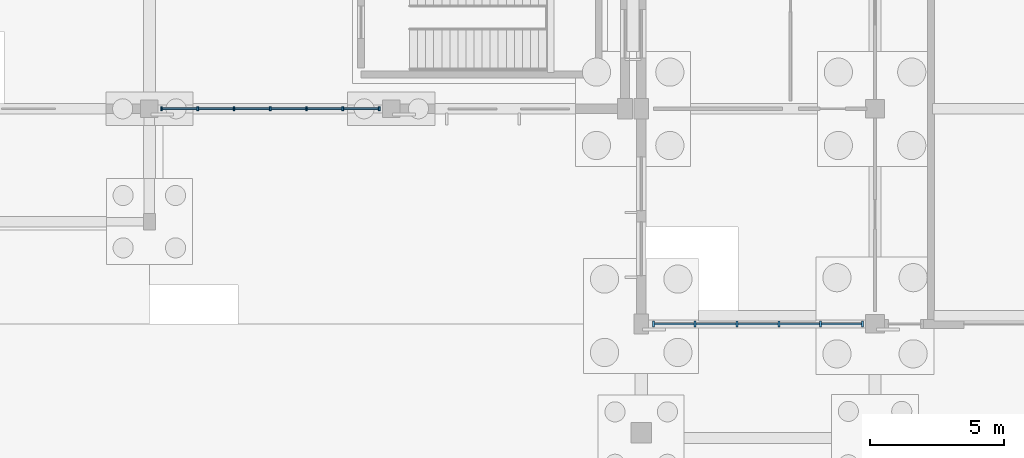
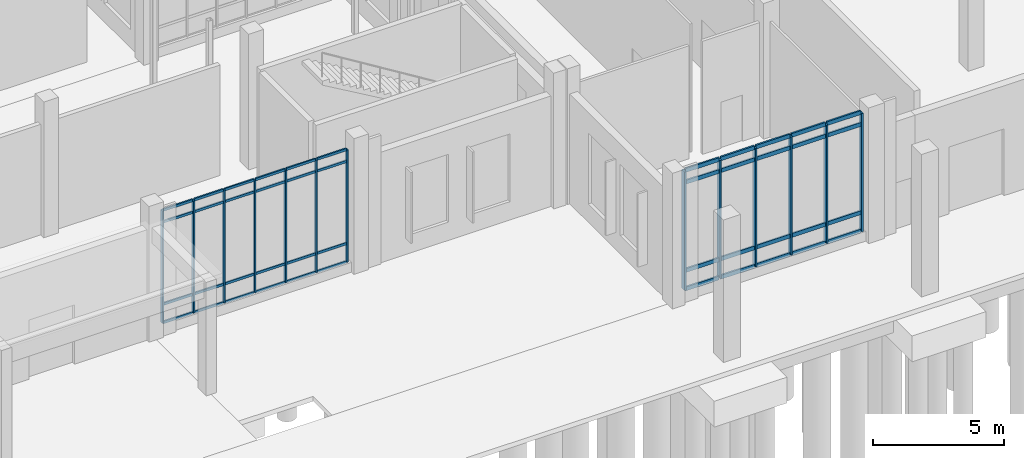
# One storey, part 41 of 99: 57 members, 2 elements without a shape of their own.
"""IFC4 building model written with IfcOpenShell, lengths in metres."""

from ifc_helpers import new_model, si_unit, direction, frame, origin, origin_2d, place, context, subcontext, project, spatial, rectangle, extrude, material, layer, layer_set, material_profile, profile_set, type_object, element, aggregate, save


model = new_model("IFC4")

# Units and contexts
model_context = context("Model", 3, precision=1e-05, world=origin(), true_north=direction((0.0, 1.0)))
body_context = subcontext(model_context, "Body", "Model", "MODEL_VIEW")
ifc_project = project(units=[si_unit("LENGTHUNIT", "METRE"), si_unit("AREAUNIT", "SQUARE_METRE"), si_unit("VOLUMEUNIT", "CUBIC_METRE"), si_unit("PLANEANGLEUNIT", "RADIAN"), si_unit("MASSUNIT", "GRAM", prefix="KILO")], contexts=[model_context])

# Site, building, storey
site_placement = place(None, origin())
site = spatial("IfcSite", under=ifc_project, at=site_placement, CompositionType="ELEMENT")
building_placement = place(site_placement, origin())
building = spatial("IfcBuilding", under=site, at=building_placement, Name="Zacnel Wholesale Market", CompositionType="ELEMENT")
storey_placement = place(building_placement, origin())
storey = spatial("IfcBuildingStorey", under=building, at=storey_placement, Name="L01", CompositionType="ELEMENT", Elevation=0.0)

# Curtain wall, members
ifc_material_1 = material(Name="Anodised aluminium", Category="aluminium")
ifc_layer_1 = layer(ifc_material_1, 0.179931640625)
ifc_layer_set_1 = layer_set([ifc_layer_1], Name="Anodised aluminium")
curtain_wall_type_1 = type_object("IfcCurtainWallType", Name="CW-BLVD-5400", PredefinedType="NOTDEFINED", material=ifc_layer_set_1)
curtain_wall_1_placement = place(storey_placement, origin())
curtain_wall_1 = element("IfcCurtainWall", 1, at=curtain_wall_1_placement, inside=storey, type_object=curtain_wall_type_1, Name="Curtain wall ENV-R2-CW-L01-005", PredefinedType="NOTDEFINED")
ifc_material_2 = material(Name="Anodised aluminium", Category="aluminium")
ifc_material_profile_1 = material_profile(ifc_material_2, rectangle(XDim=0.074951171875, YDim=0.219970703125, at=origin_2d()), Name="AW-MULLION 75x220")
ifc_profile_set_1 = profile_set([ifc_material_profile_1], Name="Anodised aluminium")
member_type_1 = type_object("IfcMemberType", Name="CWM-MUL-01", PredefinedType="MULLION", material=ifc_profile_set_1)
member_1_placement = place(storey_placement, frame((144.75, 0.0, 0.449951171875), z_axis=(0.0, 0.0, 1.0), x_axis=(1.0, 0.0, 0.0)))
member_1 = element("IfcMember", 2, at=member_1_placement, type_object=member_type_1, Name="ENV-R2-CW-L01-005 mullion 01", PredefinedType="MULLION", context=body_context, shape_type="SweptSolid", body=[
    extrude(rectangle(XDim=0.074951171875, YDim=0.219970703125, at=origin_2d()), origin(), (0.0, 0.0, 1.0), 5.5),
])
member_2_placement = place(storey_placement, frame((146.305908203125, 0.0, 0.449951171875), z_axis=(0.0, 0.0, 1.0), x_axis=(1.0, 0.0, 0.0)))
member_2 = element("IfcMember", 3, at=member_2_placement, type_object=member_type_1, Name="ENV-R2-CW-L01-005 mullion 02", PredefinedType="MULLION", context=body_context, shape_type="SweptSolid", body=[
    extrude(rectangle(XDim=0.074951171875, YDim=0.219970703125, at=origin_2d()), origin(), (0.0, 0.0, 1.0), 5.5),
])
member_3_placement = place(storey_placement, frame((147.862060546875, 0.0, 0.449951171875), z_axis=(0.0, 0.0, 1.0), x_axis=(1.0, 0.0, 0.0)))
member_3 = element("IfcMember", 4, at=member_3_placement, type_object=member_type_1, Name="ENV-R2-CW-L01-005 mullion 03", PredefinedType="MULLION", context=body_context, shape_type="SweptSolid", body=[
    extrude(rectangle(XDim=0.074951171875, YDim=0.219970703125, at=origin_2d()), origin(), (0.0, 0.0, 1.0), 5.5),
])
member_4_placement = place(storey_placement, frame((149.41796875, 0.0, 0.449951171875), z_axis=(0.0, 0.0, 1.0), x_axis=(1.0, 0.0, 0.0)))
member_4 = element("IfcMember", 5, at=member_4_placement, type_object=member_type_1, Name="ENV-R2-CW-L01-005 mullion 04", PredefinedType="MULLION", context=body_context, shape_type="SweptSolid", body=[
    extrude(rectangle(XDim=0.074951171875, YDim=0.219970703125, at=origin_2d()), origin(), (0.0, 0.0, 1.0), 5.5),
])
member_5_placement = place(storey_placement, frame((150.97412109375, 0.0, 0.449951171875), z_axis=(0.0, 0.0, 1.0), x_axis=(1.0, 0.0, 0.0)))
member_5 = element("IfcMember", 6, at=member_5_placement, type_object=member_type_1, Name="ENV-R2-CW-L01-005 mullion 05", PredefinedType="MULLION", context=body_context, shape_type="SweptSolid", body=[
    extrude(rectangle(XDim=0.074951171875, YDim=0.219970703125, at=origin_2d()), origin(), (0.0, 0.0, 1.0), 5.5),
])
member_6_placement = place(storey_placement, frame((152.530029296875, 0.0, 0.449951171875), z_axis=(0.0, 0.0, 1.0), x_axis=(1.0, 0.0, 0.0)))
member_6 = element("IfcMember", 7, at=member_6_placement, type_object=member_type_1, Name="ENV-R2-CW-L01-005 mullion 06", PredefinedType="MULLION", context=body_context, shape_type="SweptSolid", body=[
    extrude(rectangle(XDim=0.074951171875, YDim=0.219970703125, at=origin_2d()), origin(), (0.0, 0.0, 1.0), 5.5),
])

ifc_material_3 = material(Name="Anodised aluminium", Category="aluminium")
ifc_layer_2 = layer(ifc_material_3, 0.159912109375)
ifc_layer_set_2 = layer_set([ifc_layer_2], Name="Anodised aluminium")
curtain_wall_type_2 = type_object("IfcCurtainWallType", Name="CW-TERR-3900", PredefinedType="NOTDEFINED", material=ifc_layer_set_2)
curtain_wall_2_placement = place(storey_placement, origin())
curtain_wall_2 = element("IfcCurtainWall", 8, at=curtain_wall_2_placement, inside=storey, type_object=curtain_wall_type_2, Name="Curtain wall ENV-R2-CW-L01-003", PredefinedType="NOTDEFINED")
ifc_material_4 = material(Name="Anodised aluminium", Category="aluminium")
ifc_material_profile_2 = material_profile(ifc_material_4, rectangle(XDim=0.06494140625, YDim=0.14990234375, at=origin_2d()), Name="AW-MULLION 65x150")
ifc_profile_set_2 = profile_set([ifc_material_profile_2], Name="Anodised aluminium")
member_type_2 = type_object("IfcMemberType", Name="CWM-MUL-05", PredefinedType="MULLION", material=ifc_profile_set_2)
member_7_placement = place(storey_placement, frame((126.449951171875, 8.0, 0.449951171875), z_axis=(0.0, 0.0, 1.0), x_axis=(1.0, 0.0, 0.0)))
member_7 = element("IfcMember", 9, at=member_7_placement, type_object=member_type_2, Name="ENV-R2-CW-L01-003 mullion 01", PredefinedType="MULLION", context=body_context, shape_type="SweptSolid", body=[
    extrude(rectangle(XDim=0.06494140625, YDim=0.14990234375, at=origin_2d()), origin(), (0.0, 0.0, 1.0), 5.219970703125),
])
member_8_placement = place(storey_placement, frame((127.800048828125, 8.0, 0.449951171875), z_axis=(0.0, 0.0, 1.0), x_axis=(1.0, 0.0, 0.0)))
member_8 = element("IfcMember", 10, at=member_8_placement, type_object=member_type_2, Name="ENV-R2-CW-L01-003 mullion 02", PredefinedType="MULLION", context=body_context, shape_type="SweptSolid", body=[
    extrude(rectangle(XDim=0.06494140625, YDim=0.14990234375, at=origin_2d()), origin(), (0.0, 0.0, 1.0), 5.219970703125),
])
member_9_placement = place(storey_placement, frame((129.14990234375, 8.0, 0.449951171875), z_axis=(0.0, 0.0, 1.0), x_axis=(1.0, 0.0, 0.0)))
member_9 = element("IfcMember", 11, at=member_9_placement, type_object=member_type_2, Name="ENV-R2-CW-L01-003 mullion 03", PredefinedType="MULLION", context=body_context, shape_type="SweptSolid", body=[
    extrude(rectangle(XDim=0.06494140625, YDim=0.14990234375, at=origin_2d()), origin(), (0.0, 0.0, 1.0), 5.219970703125),
])
member_10_placement = place(storey_placement, frame((130.5, 8.0, 0.449951171875), z_axis=(0.0, 0.0, 1.0), x_axis=(1.0, 0.0, 0.0)))
member_10 = element("IfcMember", 12, at=member_10_placement, type_object=member_type_2, Name="ENV-R2-CW-L01-003 mullion 04", PredefinedType="MULLION", context=body_context, shape_type="SweptSolid", body=[
    extrude(rectangle(XDim=0.06494140625, YDim=0.14990234375, at=origin_2d()), origin(), (0.0, 0.0, 1.0), 5.219970703125),
])
member_11_placement = place(storey_placement, frame((131.85009765625, 8.0, 0.449951171875), z_axis=(0.0, 0.0, 1.0), x_axis=(1.0, 0.0, 0.0)))
member_11 = element("IfcMember", 13, at=member_11_placement, type_object=member_type_2, Name="ENV-R2-CW-L01-003 mullion 05", PredefinedType="MULLION", context=body_context, shape_type="SweptSolid", body=[
    extrude(rectangle(XDim=0.06494140625, YDim=0.14990234375, at=origin_2d()), origin(), (0.0, 0.0, 1.0), 5.219970703125),
])
member_12_placement = place(storey_placement, frame((133.199951171875, 8.0, 0.449951171875), z_axis=(0.0, 0.0, 1.0), x_axis=(1.0, 0.0, 0.0)))
member_12 = element("IfcMember", 14, at=member_12_placement, type_object=member_type_2, Name="ENV-R2-CW-L01-003 mullion 06", PredefinedType="MULLION", context=body_context, shape_type="SweptSolid", body=[
    extrude(rectangle(XDim=0.06494140625, YDim=0.14990234375, at=origin_2d()), origin(), (0.0, 0.0, 1.0), 5.219970703125),
])
member_13_placement = place(storey_placement, frame((134.550048828125, 8.0, 0.449951171875), z_axis=(0.0, 0.0, 1.0), x_axis=(1.0, 0.0, 0.0)))
member_13 = element("IfcMember", 15, at=member_13_placement, type_object=member_type_2, Name="ENV-R2-CW-L01-003 mullion 07", PredefinedType="MULLION", context=body_context, shape_type="SweptSolid", body=[
    extrude(rectangle(XDim=0.06494140625, YDim=0.14990234375, at=origin_2d()), origin(), (0.0, 0.0, 1.0), 5.219970703125),
])

# Member
ifc_material_5 = material(Name="Anodised aluminium", Category="aluminium")
ifc_material_profile_3 = material_profile(ifc_material_5, rectangle(XDim=0.074951171875, YDim=0.179931640625, at=origin_2d()), Name="AW-TRANSOM 75x180")
ifc_profile_set_3 = profile_set([ifc_material_profile_3], Name="Anodised aluminium")
member_type_3 = type_object("IfcMemberType", Name="CWM-TRN-01", PredefinedType="USERDEFINED", material=ifc_profile_set_3)
member_14_placement = place(storey_placement, frame((144.784912109375, 0.0, 0.449951171875), z_axis=(1.0, 0.0, 0.0), x_axis=(0.0, 1.0, 0.0)))
member_14 = element("IfcMember", 16, at=member_14_placement, type_object=member_type_3, Name="ENV-R2-CW-L01-005 transom 1-1", ObjectType="TRANSOM", PredefinedType="USERDEFINED", context=body_context, shape_type="SweptSolid", body=[
    extrude(rectangle(XDim=0.074951171875, YDim=0.179931640625, at=origin_2d()), origin(), (0.0, 0.0, 1.0), 1.486083984375),
])

member_15_placement = place(storey_placement, frame((144.784912109375, 0.0, 1.300048828125), z_axis=(1.0, 0.0, 0.0), x_axis=(0.0, 1.0, 0.0)))
member_15 = element("IfcMember", 17, at=member_15_placement, type_object=member_type_3, Name="ENV-R2-CW-L01-005 transom 1-2", ObjectType="TRANSOM", PredefinedType="USERDEFINED", context=body_context, shape_type="SweptSolid", body=[
    extrude(rectangle(XDim=0.074951171875, YDim=0.179931640625, at=origin_2d()), origin(), (0.0, 0.0, 1.0), 1.486083984375),
])

member_16_placement = place(storey_placement, frame((144.784912109375, 0.0, 5.39990234375), z_axis=(1.0, 0.0, 0.0), x_axis=(0.0, 1.0, 0.0)))
member_16 = element("IfcMember", 18, at=member_16_placement, type_object=member_type_3, Name="ENV-R2-CW-L01-005 transom 1-3", ObjectType="TRANSOM", PredefinedType="USERDEFINED", context=body_context, shape_type="SweptSolid", body=[
    extrude(rectangle(XDim=0.074951171875, YDim=0.179931640625, at=origin_2d()), origin(), (0.0, 0.0, 1.0), 1.486083984375),
])

member_17_placement = place(storey_placement, frame((144.784912109375, 0.0, 5.949951171875), z_axis=(1.0, 0.0, 0.0), x_axis=(0.0, 1.0, 0.0)))
member_17 = element("IfcMember", 19, at=member_17_placement, type_object=member_type_3, Name="ENV-R2-CW-L01-005 transom 1-4", ObjectType="TRANSOM", PredefinedType="USERDEFINED", context=body_context, shape_type="SweptSolid", body=[
    extrude(rectangle(XDim=0.074951171875, YDim=0.179931640625, at=origin_2d()), origin(), (0.0, 0.0, 1.0), 1.486083984375),
])

member_18_placement = place(storey_placement, frame((146.341064453125, 0.0, 0.449951171875), z_axis=(1.0, 0.0, 0.0), x_axis=(0.0, 1.0, 0.0)))
member_18 = element("IfcMember", 20, at=member_18_placement, type_object=member_type_3, Name="ENV-R2-CW-L01-005 transom 2-1", ObjectType="TRANSOM", PredefinedType="USERDEFINED", context=body_context, shape_type="SweptSolid", body=[
    extrude(rectangle(XDim=0.074951171875, YDim=0.179931640625, at=origin_2d()), origin(), (0.0, 0.0, 1.0), 1.48583984375),
])

member_19_placement = place(storey_placement, frame((146.341064453125, 0.0, 1.300048828125), z_axis=(1.0, 0.0, 0.0), x_axis=(0.0, 1.0, 0.0)))
member_19 = element("IfcMember", 21, at=member_19_placement, type_object=member_type_3, Name="ENV-R2-CW-L01-005 transom 2-2", ObjectType="TRANSOM", PredefinedType="USERDEFINED", context=body_context, shape_type="SweptSolid", body=[
    extrude(rectangle(XDim=0.074951171875, YDim=0.179931640625, at=origin_2d()), origin(), (0.0, 0.0, 1.0), 1.48583984375),
])

member_20_placement = place(storey_placement, frame((146.341064453125, 0.0, 5.39990234375), z_axis=(1.0, 0.0, 0.0), x_axis=(0.0, 1.0, 0.0)))
member_20 = element("IfcMember", 22, at=member_20_placement, type_object=member_type_3, Name="ENV-R2-CW-L01-005 transom 2-3", ObjectType="TRANSOM", PredefinedType="USERDEFINED", context=body_context, shape_type="SweptSolid", body=[
    extrude(rectangle(XDim=0.074951171875, YDim=0.179931640625, at=origin_2d()), origin(), (0.0, 0.0, 1.0), 1.48583984375),
])

member_21_placement = place(storey_placement, frame((146.341064453125, 0.0, 5.949951171875), z_axis=(1.0, 0.0, 0.0), x_axis=(0.0, 1.0, 0.0)))
member_21 = element("IfcMember", 23, at=member_21_placement, type_object=member_type_3, Name="ENV-R2-CW-L01-005 transom 2-4", ObjectType="TRANSOM", PredefinedType="USERDEFINED", context=body_context, shape_type="SweptSolid", body=[
    extrude(rectangle(XDim=0.074951171875, YDim=0.179931640625, at=origin_2d()), origin(), (0.0, 0.0, 1.0), 1.48583984375),
])

member_22_placement = place(storey_placement, frame((147.89697265625, 0.0, 0.449951171875), z_axis=(1.0, 0.0, 0.0), x_axis=(0.0, 1.0, 0.0)))
member_22 = element("IfcMember", 24, at=member_22_placement, type_object=member_type_3, Name="ENV-R2-CW-L01-005 transom 3-1", ObjectType="TRANSOM", PredefinedType="USERDEFINED", context=body_context, shape_type="SweptSolid", body=[
    extrude(rectangle(XDim=0.074951171875, YDim=0.179931640625, at=origin_2d()), origin(), (0.0, 0.0, 1.0), 1.486083984375),
])

member_23_placement = place(storey_placement, frame((147.89697265625, 0.0, 1.300048828125), z_axis=(1.0, 0.0, 0.0), x_axis=(0.0, 1.0, 0.0)))
member_23 = element("IfcMember", 25, at=member_23_placement, type_object=member_type_3, Name="ENV-R2-CW-L01-005 transom 3-2", ObjectType="TRANSOM", PredefinedType="USERDEFINED", context=body_context, shape_type="SweptSolid", body=[
    extrude(rectangle(XDim=0.074951171875, YDim=0.179931640625, at=origin_2d()), origin(), (0.0, 0.0, 1.0), 1.486083984375),
])

member_24_placement = place(storey_placement, frame((147.89697265625, 0.0, 5.39990234375), z_axis=(1.0, 0.0, 0.0), x_axis=(0.0, 1.0, 0.0)))
member_24 = element("IfcMember", 26, at=member_24_placement, type_object=member_type_3, Name="ENV-R2-CW-L01-005 transom 3-3", ObjectType="TRANSOM", PredefinedType="USERDEFINED", context=body_context, shape_type="SweptSolid", body=[
    extrude(rectangle(XDim=0.074951171875, YDim=0.179931640625, at=origin_2d()), origin(), (0.0, 0.0, 1.0), 1.486083984375),
])

member_25_placement = place(storey_placement, frame((147.89697265625, 0.0, 5.949951171875), z_axis=(1.0, 0.0, 0.0), x_axis=(0.0, 1.0, 0.0)))
member_25 = element("IfcMember", 27, at=member_25_placement, type_object=member_type_3, Name="ENV-R2-CW-L01-005 transom 3-4", ObjectType="TRANSOM", PredefinedType="USERDEFINED", context=body_context, shape_type="SweptSolid", body=[
    extrude(rectangle(XDim=0.074951171875, YDim=0.179931640625, at=origin_2d()), origin(), (0.0, 0.0, 1.0), 1.486083984375),
])

member_26_placement = place(storey_placement, frame((149.452880859375, 0.0, 0.449951171875), z_axis=(1.0, 0.0, 0.0), x_axis=(0.0, 1.0, 0.0)))
member_26 = element("IfcMember", 28, at=member_26_placement, type_object=member_type_3, Name="ENV-R2-CW-L01-005 transom 4-1", ObjectType="TRANSOM", PredefinedType="USERDEFINED", context=body_context, shape_type="SweptSolid", body=[
    extrude(rectangle(XDim=0.074951171875, YDim=0.179931640625, at=origin_2d()), origin(), (0.0, 0.0, 1.0), 1.486083984375),
])

member_27_placement = place(storey_placement, frame((149.452880859375, 0.0, 1.300048828125), z_axis=(1.0, 0.0, 0.0), x_axis=(0.0, 1.0, 0.0)))
member_27 = element("IfcMember", 29, at=member_27_placement, type_object=member_type_3, Name="ENV-R2-CW-L01-005 transom 4-2", ObjectType="TRANSOM", PredefinedType="USERDEFINED", context=body_context, shape_type="SweptSolid", body=[
    extrude(rectangle(XDim=0.074951171875, YDim=0.179931640625, at=origin_2d()), origin(), (0.0, 0.0, 1.0), 1.486083984375),
])

member_28_placement = place(storey_placement, frame((149.452880859375, 0.0, 5.39990234375), z_axis=(1.0, 0.0, 0.0), x_axis=(0.0, 1.0, 0.0)))
member_28 = element("IfcMember", 30, at=member_28_placement, type_object=member_type_3, Name="ENV-R2-CW-L01-005 transom 4-3", ObjectType="TRANSOM", PredefinedType="USERDEFINED", context=body_context, shape_type="SweptSolid", body=[
    extrude(rectangle(XDim=0.074951171875, YDim=0.179931640625, at=origin_2d()), origin(), (0.0, 0.0, 1.0), 1.486083984375),
])

member_29_placement = place(storey_placement, frame((149.452880859375, 0.0, 5.949951171875), z_axis=(1.0, 0.0, 0.0), x_axis=(0.0, 1.0, 0.0)))
member_29 = element("IfcMember", 31, at=member_29_placement, type_object=member_type_3, Name="ENV-R2-CW-L01-005 transom 4-4", ObjectType="TRANSOM", PredefinedType="USERDEFINED", context=body_context, shape_type="SweptSolid", body=[
    extrude(rectangle(XDim=0.074951171875, YDim=0.179931640625, at=origin_2d()), origin(), (0.0, 0.0, 1.0), 1.486083984375),
])

member_30_placement = place(storey_placement, frame((151.009033203125, 0.0, 0.449951171875), z_axis=(1.0, 0.0, 0.0), x_axis=(0.0, 1.0, 0.0)))
member_30 = element("IfcMember", 32, at=member_30_placement, type_object=member_type_3, Name="ENV-R2-CW-L01-005 transom 5-1", ObjectType="TRANSOM", PredefinedType="USERDEFINED", context=body_context, shape_type="SweptSolid", body=[
    extrude(rectangle(XDim=0.074951171875, YDim=0.179931640625, at=origin_2d()), origin(), (0.0, 0.0, 1.0), 1.486083984375),
])

member_31_placement = place(storey_placement, frame((151.009033203125, 0.0, 1.300048828125), z_axis=(1.0, 0.0, 0.0), x_axis=(0.0, 1.0, 0.0)))
member_31 = element("IfcMember", 33, at=member_31_placement, type_object=member_type_3, Name="ENV-R2-CW-L01-005 transom 5-2", ObjectType="TRANSOM", PredefinedType="USERDEFINED", context=body_context, shape_type="SweptSolid", body=[
    extrude(rectangle(XDim=0.074951171875, YDim=0.179931640625, at=origin_2d()), origin(), (0.0, 0.0, 1.0), 1.486083984375),
])

member_32_placement = place(storey_placement, frame((151.009033203125, 0.0, 5.39990234375), z_axis=(1.0, 0.0, 0.0), x_axis=(0.0, 1.0, 0.0)))
member_32 = element("IfcMember", 34, at=member_32_placement, type_object=member_type_3, Name="ENV-R2-CW-L01-005 transom 5-3", ObjectType="TRANSOM", PredefinedType="USERDEFINED", context=body_context, shape_type="SweptSolid", body=[
    extrude(rectangle(XDim=0.074951171875, YDim=0.179931640625, at=origin_2d()), origin(), (0.0, 0.0, 1.0), 1.486083984375),
])

member_33_placement = place(storey_placement, frame((151.009033203125, 0.0, 5.949951171875), z_axis=(1.0, 0.0, 0.0), x_axis=(0.0, 1.0, 0.0)))
member_33 = element("IfcMember", 35, at=member_33_placement, type_object=member_type_3, Name="ENV-R2-CW-L01-005 transom 5-4", ObjectType="TRANSOM", PredefinedType="USERDEFINED", context=body_context, shape_type="SweptSolid", body=[
    extrude(rectangle(XDim=0.074951171875, YDim=0.179931640625, at=origin_2d()), origin(), (0.0, 0.0, 1.0), 1.486083984375),
])

aggregate(curtain_wall_1, [member_1, member_2, member_3, member_4, member_5, member_6, member_14, member_15, member_16, member_17, member_18, member_19, member_20, member_21, member_22, member_23, member_24, member_25, member_26, member_27, member_28, member_29, member_30, member_31, member_32, member_33])

ifc_material_6 = material(Name="Anodised aluminium", Category="aluminium")
ifc_material_profile_4 = material_profile(ifc_material_6, rectangle(XDim=0.06494140625, YDim=0.114990234375, at=origin_2d()), Name="AW-TRANSOM 65x115")
ifc_profile_set_4 = profile_set([ifc_material_profile_4], Name="Anodised aluminium")
member_type_4 = type_object("IfcMemberType", Name="CWM-TRN-05", PredefinedType="USERDEFINED", material=ifc_profile_set_4)
member_34_placement = place(storey_placement, frame((126.485107421875, 8.0, 0.449951171875), z_axis=(1.0, 0.0, 0.0), x_axis=(0.0, 1.0, 0.0)))
member_34 = element("IfcMember", 36, at=member_34_placement, type_object=member_type_4, Name="ENV-R2-CW-L01-003 transom 1-1", ObjectType="TRANSOM", PredefinedType="USERDEFINED", context=body_context, shape_type="SweptSolid", body=[
    extrude(rectangle(XDim=0.06494140625, YDim=0.114990234375, at=origin_2d()), origin(), (0.0, 0.0, 1.0), 1.27978515625),
])

member_35_placement = place(storey_placement, frame((126.485107421875, 8.0, 1.300048828125), z_axis=(1.0, 0.0, 0.0), x_axis=(0.0, 1.0, 0.0)))
member_35 = element("IfcMember", 37, at=member_35_placement, type_object=member_type_4, Name="ENV-R2-CW-L01-003 transom 1-2", ObjectType="TRANSOM", PredefinedType="USERDEFINED", context=body_context, shape_type="SweptSolid", body=[
    extrude(rectangle(XDim=0.06494140625, YDim=0.114990234375, at=origin_2d()), origin(), (0.0, 0.0, 1.0), 1.27978515625),
])

member_36_placement = place(storey_placement, frame((126.485107421875, 8.0, 5.1201171875), z_axis=(1.0, 0.0, 0.0), x_axis=(0.0, 1.0, 0.0)))
member_36 = element("IfcMember", 38, at=member_36_placement, type_object=member_type_4, Name="ENV-R2-CW-L01-003 transom 1-3", ObjectType="TRANSOM", PredefinedType="USERDEFINED", context=body_context, shape_type="SweptSolid", body=[
    extrude(rectangle(XDim=0.06494140625, YDim=0.114990234375, at=origin_2d()), origin(), (0.0, 0.0, 1.0), 1.27978515625),
])

member_37_placement = place(storey_placement, frame((126.485107421875, 8.0, 5.669921875), z_axis=(1.0, 0.0, 0.0), x_axis=(0.0, 1.0, 0.0)))
member_37 = element("IfcMember", 39, at=member_37_placement, type_object=member_type_4, Name="ENV-R2-CW-L01-003 transom 1-4", ObjectType="TRANSOM", PredefinedType="USERDEFINED", context=body_context, shape_type="SweptSolid", body=[
    extrude(rectangle(XDim=0.06494140625, YDim=0.114990234375, at=origin_2d()), origin(), (0.0, 0.0, 1.0), 1.27978515625),
])

member_38_placement = place(storey_placement, frame((127.8349609375, 8.0, 0.449951171875), z_axis=(1.0, 0.0, 0.0), x_axis=(0.0, 1.0, 0.0)))
member_38 = element("IfcMember", 40, at=member_38_placement, type_object=member_type_4, Name="ENV-R2-CW-L01-003 transom 2-1", ObjectType="TRANSOM", PredefinedType="USERDEFINED", context=body_context, shape_type="SweptSolid", body=[
    extrude(rectangle(XDim=0.06494140625, YDim=0.114990234375, at=origin_2d()), origin(), (0.0, 0.0, 1.0), 1.280029296875),
])

member_39_placement = place(storey_placement, frame((127.8349609375, 8.0, 1.300048828125), z_axis=(1.0, 0.0, 0.0), x_axis=(0.0, 1.0, 0.0)))
member_39 = element("IfcMember", 41, at=member_39_placement, type_object=member_type_4, Name="ENV-R2-CW-L01-003 transom 2-2", ObjectType="TRANSOM", PredefinedType="USERDEFINED", context=body_context, shape_type="SweptSolid", body=[
    extrude(rectangle(XDim=0.06494140625, YDim=0.114990234375, at=origin_2d()), origin(), (0.0, 0.0, 1.0), 1.280029296875),
])

member_40_placement = place(storey_placement, frame((127.8349609375, 8.0, 5.1201171875), z_axis=(1.0, 0.0, 0.0), x_axis=(0.0, 1.0, 0.0)))
member_40 = element("IfcMember", 42, at=member_40_placement, type_object=member_type_4, Name="ENV-R2-CW-L01-003 transom 2-3", ObjectType="TRANSOM", PredefinedType="USERDEFINED", context=body_context, shape_type="SweptSolid", body=[
    extrude(rectangle(XDim=0.06494140625, YDim=0.114990234375, at=origin_2d()), origin(), (0.0, 0.0, 1.0), 1.280029296875),
])

member_41_placement = place(storey_placement, frame((127.8349609375, 8.0, 5.669921875), z_axis=(1.0, 0.0, 0.0), x_axis=(0.0, 1.0, 0.0)))
member_41 = element("IfcMember", 43, at=member_41_placement, type_object=member_type_4, Name="ENV-R2-CW-L01-003 transom 2-4", ObjectType="TRANSOM", PredefinedType="USERDEFINED", context=body_context, shape_type="SweptSolid", body=[
    extrude(rectangle(XDim=0.06494140625, YDim=0.114990234375, at=origin_2d()), origin(), (0.0, 0.0, 1.0), 1.280029296875),
])

member_42_placement = place(storey_placement, frame((129.18505859375, 8.0, 0.449951171875), z_axis=(1.0, 0.0, 0.0), x_axis=(0.0, 1.0, 0.0)))
member_42 = element("IfcMember", 44, at=member_42_placement, type_object=member_type_4, Name="ENV-R2-CW-L01-003 transom 3-1", ObjectType="TRANSOM", PredefinedType="USERDEFINED", context=body_context, shape_type="SweptSolid", body=[
    extrude(rectangle(XDim=0.06494140625, YDim=0.114990234375, at=origin_2d()), origin(), (0.0, 0.0, 1.0), 1.280029296875),
])

member_43_placement = place(storey_placement, frame((129.18505859375, 8.0, 1.300048828125), z_axis=(1.0, 0.0, 0.0), x_axis=(0.0, 1.0, 0.0)))
member_43 = element("IfcMember", 45, at=member_43_placement, type_object=member_type_4, Name="ENV-R2-CW-L01-003 transom 3-2", ObjectType="TRANSOM", PredefinedType="USERDEFINED", context=body_context, shape_type="SweptSolid", body=[
    extrude(rectangle(XDim=0.06494140625, YDim=0.114990234375, at=origin_2d()), origin(), (0.0, 0.0, 1.0), 1.280029296875),
])

member_44_placement = place(storey_placement, frame((129.18505859375, 8.0, 5.1201171875), z_axis=(1.0, 0.0, 0.0), x_axis=(0.0, 1.0, 0.0)))
member_44 = element("IfcMember", 46, at=member_44_placement, type_object=member_type_4, Name="ENV-R2-CW-L01-003 transom 3-3", ObjectType="TRANSOM", PredefinedType="USERDEFINED", context=body_context, shape_type="SweptSolid", body=[
    extrude(rectangle(XDim=0.06494140625, YDim=0.114990234375, at=origin_2d()), origin(), (0.0, 0.0, 1.0), 1.280029296875),
])

member_45_placement = place(storey_placement, frame((129.18505859375, 8.0, 5.669921875), z_axis=(1.0, 0.0, 0.0), x_axis=(0.0, 1.0, 0.0)))
member_45 = element("IfcMember", 47, at=member_45_placement, type_object=member_type_4, Name="ENV-R2-CW-L01-003 transom 3-4", ObjectType="TRANSOM", PredefinedType="USERDEFINED", context=body_context, shape_type="SweptSolid", body=[
    extrude(rectangle(XDim=0.06494140625, YDim=0.114990234375, at=origin_2d()), origin(), (0.0, 0.0, 1.0), 1.280029296875),
])

member_46_placement = place(storey_placement, frame((130.534912109375, 8.0, 0.449951171875), z_axis=(1.0, 0.0, 0.0), x_axis=(0.0, 1.0, 0.0)))
member_46 = element("IfcMember", 48, at=member_46_placement, type_object=member_type_4, Name="ENV-R2-CW-L01-003 transom 4-1", ObjectType="TRANSOM", PredefinedType="USERDEFINED", context=body_context, shape_type="SweptSolid", body=[
    extrude(rectangle(XDim=0.06494140625, YDim=0.114990234375, at=origin_2d()), origin(), (0.0, 0.0, 1.0), 1.280029296875),
])

member_47_placement = place(storey_placement, frame((130.534912109375, 8.0, 1.300048828125), z_axis=(1.0, 0.0, 0.0), x_axis=(0.0, 1.0, 0.0)))
member_47 = element("IfcMember", 49, at=member_47_placement, type_object=member_type_4, Name="ENV-R2-CW-L01-003 transom 4-2", ObjectType="TRANSOM", PredefinedType="USERDEFINED", context=body_context, shape_type="SweptSolid", body=[
    extrude(rectangle(XDim=0.06494140625, YDim=0.114990234375, at=origin_2d()), origin(), (0.0, 0.0, 1.0), 1.280029296875),
])

member_48_placement = place(storey_placement, frame((130.534912109375, 8.0, 5.1201171875), z_axis=(1.0, 0.0, 0.0), x_axis=(0.0, 1.0, 0.0)))
member_48 = element("IfcMember", 50, at=member_48_placement, type_object=member_type_4, Name="ENV-R2-CW-L01-003 transom 4-3", ObjectType="TRANSOM", PredefinedType="USERDEFINED", context=body_context, shape_type="SweptSolid", body=[
    extrude(rectangle(XDim=0.06494140625, YDim=0.114990234375, at=origin_2d()), origin(), (0.0, 0.0, 1.0), 1.280029296875),
])

member_49_placement = place(storey_placement, frame((130.534912109375, 8.0, 5.669921875), z_axis=(1.0, 0.0, 0.0), x_axis=(0.0, 1.0, 0.0)))
member_49 = element("IfcMember", 51, at=member_49_placement, type_object=member_type_4, Name="ENV-R2-CW-L01-003 transom 4-4", ObjectType="TRANSOM", PredefinedType="USERDEFINED", context=body_context, shape_type="SweptSolid", body=[
    extrude(rectangle(XDim=0.06494140625, YDim=0.114990234375, at=origin_2d()), origin(), (0.0, 0.0, 1.0), 1.280029296875),
])

member_50_placement = place(storey_placement, frame((131.885009765625, 8.0, 0.449951171875), z_axis=(1.0, 0.0, 0.0), x_axis=(0.0, 1.0, 0.0)))
member_50 = element("IfcMember", 52, at=member_50_placement, type_object=member_type_4, Name="ENV-R2-CW-L01-003 transom 5-1", ObjectType="TRANSOM", PredefinedType="USERDEFINED", context=body_context, shape_type="SweptSolid", body=[
    extrude(rectangle(XDim=0.06494140625, YDim=0.114990234375, at=origin_2d()), origin(), (0.0, 0.0, 1.0), 1.280029296875),
])

member_51_placement = place(storey_placement, frame((131.885009765625, 8.0, 1.300048828125), z_axis=(1.0, 0.0, 0.0), x_axis=(0.0, 1.0, 0.0)))
member_51 = element("IfcMember", 53, at=member_51_placement, type_object=member_type_4, Name="ENV-R2-CW-L01-003 transom 5-2", ObjectType="TRANSOM", PredefinedType="USERDEFINED", context=body_context, shape_type="SweptSolid", body=[
    extrude(rectangle(XDim=0.06494140625, YDim=0.114990234375, at=origin_2d()), origin(), (0.0, 0.0, 1.0), 1.280029296875),
])

member_52_placement = place(storey_placement, frame((131.885009765625, 8.0, 5.1201171875), z_axis=(1.0, 0.0, 0.0), x_axis=(0.0, 1.0, 0.0)))
member_52 = element("IfcMember", 54, at=member_52_placement, type_object=member_type_4, Name="ENV-R2-CW-L01-003 transom 5-3", ObjectType="TRANSOM", PredefinedType="USERDEFINED", context=body_context, shape_type="SweptSolid", body=[
    extrude(rectangle(XDim=0.06494140625, YDim=0.114990234375, at=origin_2d()), origin(), (0.0, 0.0, 1.0), 1.280029296875),
])

member_53_placement = place(storey_placement, frame((131.885009765625, 8.0, 5.669921875), z_axis=(1.0, 0.0, 0.0), x_axis=(0.0, 1.0, 0.0)))
member_53 = element("IfcMember", 55, at=member_53_placement, type_object=member_type_4, Name="ENV-R2-CW-L01-003 transom 5-4", ObjectType="TRANSOM", PredefinedType="USERDEFINED", context=body_context, shape_type="SweptSolid", body=[
    extrude(rectangle(XDim=0.06494140625, YDim=0.114990234375, at=origin_2d()), origin(), (0.0, 0.0, 1.0), 1.280029296875),
])

member_54_placement = place(storey_placement, frame((133.235107421875, 8.0, 0.449951171875), z_axis=(1.0, 0.0, 0.0), x_axis=(0.0, 1.0, 0.0)))
member_54 = element("IfcMember", 56, at=member_54_placement, type_object=member_type_4, Name="ENV-R2-CW-L01-003 transom 6-1", ObjectType="TRANSOM", PredefinedType="USERDEFINED", context=body_context, shape_type="SweptSolid", body=[
    extrude(rectangle(XDim=0.06494140625, YDim=0.114990234375, at=origin_2d()), origin(), (0.0, 0.0, 1.0), 1.27978515625),
])

member_55_placement = place(storey_placement, frame((133.235107421875, 8.0, 1.300048828125), z_axis=(1.0, 0.0, 0.0), x_axis=(0.0, 1.0, 0.0)))
member_55 = element("IfcMember", 57, at=member_55_placement, type_object=member_type_4, Name="ENV-R2-CW-L01-003 transom 6-2", ObjectType="TRANSOM", PredefinedType="USERDEFINED", context=body_context, shape_type="SweptSolid", body=[
    extrude(rectangle(XDim=0.06494140625, YDim=0.114990234375, at=origin_2d()), origin(), (0.0, 0.0, 1.0), 1.27978515625),
])

member_56_placement = place(storey_placement, frame((133.235107421875, 8.0, 5.1201171875), z_axis=(1.0, 0.0, 0.0), x_axis=(0.0, 1.0, 0.0)))
member_56 = element("IfcMember", 58, at=member_56_placement, type_object=member_type_4, Name="ENV-R2-CW-L01-003 transom 6-3", ObjectType="TRANSOM", PredefinedType="USERDEFINED", context=body_context, shape_type="SweptSolid", body=[
    extrude(rectangle(XDim=0.06494140625, YDim=0.114990234375, at=origin_2d()), origin(), (0.0, 0.0, 1.0), 1.27978515625),
])

member_57_placement = place(storey_placement, frame((133.235107421875, 8.0, 5.669921875), z_axis=(1.0, 0.0, 0.0), x_axis=(0.0, 1.0, 0.0)))
member_57 = element("IfcMember", 59, at=member_57_placement, type_object=member_type_4, Name="ENV-R2-CW-L01-003 transom 6-4", ObjectType="TRANSOM", PredefinedType="USERDEFINED", context=body_context, shape_type="SweptSolid", body=[
    extrude(rectangle(XDim=0.06494140625, YDim=0.114990234375, at=origin_2d()), origin(), (0.0, 0.0, 1.0), 1.27978515625),
])

aggregate(curtain_wall_2, [member_7, member_8, member_9, member_10, member_11, member_12, member_13, member_34, member_35, member_36, member_37, member_38, member_39, member_40, member_41, member_42, member_43, member_44, member_45, member_46, member_47, member_48, member_49, member_50, member_51, member_52, member_53, member_54, member_55, member_56, member_57])

save(model, "model.ifc")
